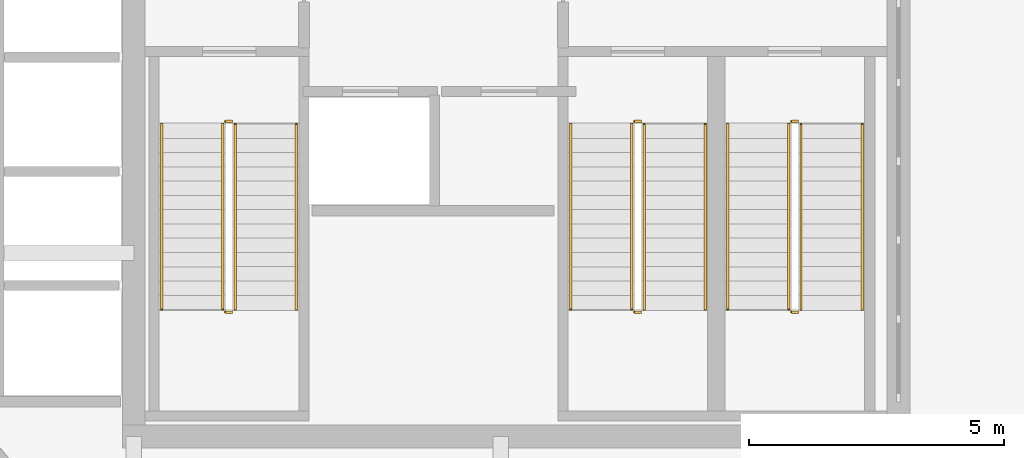
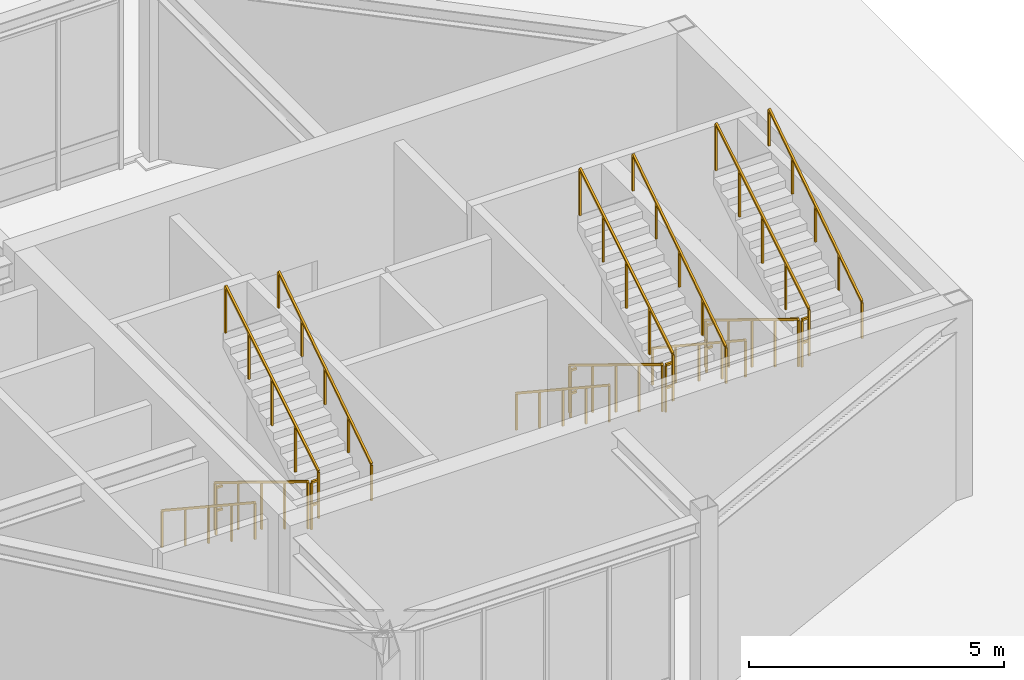
# One storey, part 5 of 5: 18 railings.
"""IFC4 building model written with IfcOpenShell, lengths in metres."""

from ifc_helpers import new_model, si_unit, derived_unit, direction, frame, origin, origin_2d, place, context, subcontext, project, spatial, rectangle, extrude, material, type_object, element, save


model = new_model("IFC4")

# Units and contexts
model_context = context("Model", 3, precision=1e-05, world=origin(), true_north=direction((0.0, 1.0)))
body_context = subcontext(model_context, "Body", "Model", "MODEL_VIEW")
ifc_project = project(units=[si_unit("LENGTHUNIT", "METRE"), si_unit("AREAUNIT", "SQUARE_METRE"), si_unit("VOLUMEUNIT", "CUBIC_METRE"), si_unit("PLANEANGLEUNIT", "RADIAN"), si_unit("MASSUNIT", "GRAM", prefix="KILO"), si_unit("THERMODYNAMICTEMPERATUREUNIT", "KELVIN"), si_unit("POWERUNIT", "WATT"), derived_unit("THERMALTRANSMITTANCEUNIT", [(si_unit("POWERUNIT", "WATT"), 1), (si_unit("AREAUNIT", "SQUARE_METRE"), -1), (si_unit("THERMODYNAMICTEMPERATUREUNIT", "KELVIN"), -1)])], contexts=[model_context])

# Site, building, storey
site_placement = place(None, origin())
site = spatial("IfcSite", under=ifc_project, at=site_placement, CompositionType="ELEMENT")
building_placement = place(site_placement, origin())
building = spatial("IfcBuilding", under=site, at=building_placement, Name="Zahravan Archway Hotel and Residences", CompositionType="ELEMENT")
storey_placement = place(building_placement, frame((0.0, 0.0, 299.10009765625)))
storey = spatial("IfcBuildingStorey", under=building, at=storey_placement, Name="L75", CompositionType="ELEMENT", Elevation=299.10009765625)

# Railings
ifc_material_1 = material(Name="Painted Tubular Steel", Category="steel")
railing_type_1 = type_object("IfcRailingType", Name="RL-STG-1150", PredefinedType="GUARDRAIL", material=ifc_material_1)
railing_1_placement = place(storey_placement, frame((36.550048828125, 9.72998046875, 0.17138671875)))
element("IfcRailing", 1, at=railing_1_placement, inside=storey, type_object=railing_type_1, Name="L75 ST-A1 stair guard 1", PredefinedType="GUARDRAIL", context=body_context, shape_type="SweptSolid", body=[
    extrude(rectangle(XDim=0.048095703125, YDim=0.048095703125, at=origin_2d()), frame((0.0, 0.0, 1.1259765625), z_axis=(0.0, -0.852850264322, 0.5221555579), x_axis=(1.0, 0.0, 0.0)), (0.0, 0.0, 1.0), 4.267822265625),
    extrude(rectangle(XDim=0.0419921875, YDim=0.0419921875, at=origin_2d()), origin(), (0.0, 0.0, 1.0), 1.101806640625),
    extrude(rectangle(XDim=0.0419921875, YDim=0.0419921875, at=origin_2d()), frame((0.0, -0.909912109375, 0.55712890625)), (0.0, 0.0, 1.0), 1.101806640625),
    extrude(rectangle(XDim=0.0419921875, YDim=0.0419921875, at=origin_2d()), frame((0.0, -1.81982421875, 1.1142578125)), (0.0, 0.0, 1.0), 1.101806640625),
    extrude(rectangle(XDim=0.0419921875, YDim=0.0419921875, at=origin_2d()), frame((0.0, -2.72998046875, 1.67138671875)), (0.0, 0.0, 1.0), 1.101806640625),
    extrude(rectangle(XDim=0.0419921875, YDim=0.0419921875, at=origin_2d()), frame((0.0, -3.639892578125, 2.228515625)), (0.0, 0.0, 1.0), 1.101806640625),
])
railing_2_placement = place(storey_placement, frame((36.60009765625, 6.0400390625, 2.39990234375)))
element("IfcRailing", 2, at=railing_2_placement, inside=storey, type_object=railing_type_1, Name="L75 ST-A1 stair guard 2", PredefinedType="GUARDRAIL", context=body_context, shape_type="SweptSolid", body=[
    extrude(rectangle(XDim=0.048095703125, YDim=0.048095703125, at=origin_2d()), frame((0.0, 0.0, 1.1259765625), z_axis=(1.0, 0.0, 0.0), x_axis=(0.0, 1.0, 0.0)), (0.0, 0.0, 1.0), 0.139892578125),
    extrude(rectangle(XDim=0.048095703125, YDim=0.048095703125, at=origin_2d()), frame((0.0, 0.0, 0.574951171875), z_axis=(1.0, 0.0, 0.0), x_axis=(0.0, 1.0, 0.0)), (0.0, 0.0, 1.0), 0.139892578125),
    extrude(rectangle(XDim=0.0419921875, YDim=0.0419921875, at=origin_2d()), origin(), (0.0, 0.0, 1.0), 1.101806640625),
])
railing_3_placement = place(storey_placement, frame((36.7900390625, 6.090087890625, 2.5712890625)))
element("IfcRailing", 3, at=railing_3_placement, inside=storey, type_object=railing_type_1, Name="L75 ST-A1 stair guard 3", PredefinedType="GUARDRAIL", context=body_context, shape_type="SweptSolid", body=[
    extrude(rectangle(XDim=0.048095703125, YDim=0.048095703125, at=origin_2d()), frame((0.0, 0.0, 1.1259765625), z_axis=(0.0, 0.852850264322, 0.5221555579), x_axis=(-1.0, 0.0, 0.0)), (0.0, 0.0, 1.0), 4.267822265625),
    extrude(rectangle(XDim=0.0419921875, YDim=0.0419921875, at=origin_2d()), origin(), (0.0, 0.0, 1.0), 1.101806640625),
    extrude(rectangle(XDim=0.0419921875, YDim=0.0419921875, at=origin_2d()), frame((0.0, 0.909912109375, 0.55712890625)), (0.0, 0.0, 1.0), 1.101806640625),
    extrude(rectangle(XDim=0.0419921875, YDim=0.0419921875, at=origin_2d()), frame((0.0, 1.81982421875, 1.1142578125)), (0.0, 0.0, 1.0), 1.101806640625),
    extrude(rectangle(XDim=0.0419921875, YDim=0.0419921875, at=origin_2d()), frame((0.0, 2.72998046875, 1.67138671875)), (0.0, 0.0, 1.0), 1.101806640625),
    extrude(rectangle(XDim=0.0419921875, YDim=0.0419921875, at=origin_2d()), frame((0.0, 3.639892578125, 2.228515625)), (0.0, 0.0, 1.0), 1.101806640625),
])
railing_4_placement = place(storey_placement, frame((36.60009765625, 9.780029296875, 0.0)))
element("IfcRailing", 4, at=railing_4_placement, inside=storey, type_object=railing_type_1, Name="L75 ST-A1 stair guard 4", PredefinedType="GUARDRAIL", context=body_context, shape_type="SweptSolid", body=[
    extrude(rectangle(XDim=0.048095703125, YDim=0.048095703125, at=origin_2d()), frame((0.0, 0.0, 1.1259765625), z_axis=(1.0, 0.0, 0.0), x_axis=(0.0, 1.0, 0.0)), (0.0, 0.0, 1.0), 0.139892578125),
    extrude(rectangle(XDim=0.048095703125, YDim=0.048095703125, at=origin_2d()), frame((0.0, 0.0, 0.574951171875), z_axis=(1.0, 0.0, 0.0), x_axis=(0.0, 1.0, 0.0)), (0.0, 0.0, 1.0), 0.139892578125),
    extrude(rectangle(XDim=0.0419921875, YDim=0.0419921875, at=origin_2d()), origin(), (0.0, 0.0, 1.0), 1.101806640625),
])
railing_5_placement = place(storey_placement, frame((44.570068359375, 9.72998046875, 0.17138671875)))
element("IfcRailing", 5, at=railing_5_placement, inside=storey, type_object=railing_type_1, Name="L75 ST-A2 stair guard 1", PredefinedType="GUARDRAIL", context=body_context, shape_type="SweptSolid", body=[
    extrude(rectangle(XDim=0.048095703125, YDim=0.048095703125, at=origin_2d()), frame((0.0, 0.0, 1.1259765625), z_axis=(0.0, -0.852850264322, 0.5221555579), x_axis=(1.0, 0.0, 0.0)), (0.0, 0.0, 1.0), 4.267822265625),
    extrude(rectangle(XDim=0.0419921875, YDim=0.0419921875, at=origin_2d()), origin(), (0.0, 0.0, 1.0), 1.101806640625),
    extrude(rectangle(XDim=0.0419921875, YDim=0.0419921875, at=origin_2d()), frame((0.0, -0.909912109375, 0.55712890625)), (0.0, 0.0, 1.0), 1.101806640625),
    extrude(rectangle(XDim=0.0419921875, YDim=0.0419921875, at=origin_2d()), frame((0.0, -1.81982421875, 1.1142578125)), (0.0, 0.0, 1.0), 1.101806640625),
    extrude(rectangle(XDim=0.0419921875, YDim=0.0419921875, at=origin_2d()), frame((0.0, -2.72998046875, 1.67138671875)), (0.0, 0.0, 1.0), 1.101806640625),
    extrude(rectangle(XDim=0.0419921875, YDim=0.0419921875, at=origin_2d()), frame((0.0, -3.639892578125, 2.228515625)), (0.0, 0.0, 1.0), 1.101806640625),
])
railing_6_placement = place(storey_placement, frame((44.6201171875, 6.0400390625, 2.39990234375)))
element("IfcRailing", 6, at=railing_6_placement, inside=storey, type_object=railing_type_1, Name="L75 ST-A2 stair guard 2", PredefinedType="GUARDRAIL", context=body_context, shape_type="SweptSolid", body=[
    extrude(rectangle(XDim=0.048095703125, YDim=0.048095703125, at=origin_2d()), frame((0.0, 0.0, 1.1259765625), z_axis=(1.0, 0.0, 0.0), x_axis=(0.0, 1.0, 0.0)), (0.0, 0.0, 1.0), 0.139892578125),
    extrude(rectangle(XDim=0.048095703125, YDim=0.048095703125, at=origin_2d()), frame((0.0, 0.0, 0.574951171875), z_axis=(1.0, 0.0, 0.0), x_axis=(0.0, 1.0, 0.0)), (0.0, 0.0, 1.0), 0.139892578125),
    extrude(rectangle(XDim=0.0419921875, YDim=0.0419921875, at=origin_2d()), origin(), (0.0, 0.0, 1.0), 1.101806640625),
])
railing_7_placement = place(storey_placement, frame((44.81005859375, 6.090087890625, 2.5712890625)))
element("IfcRailing", 7, at=railing_7_placement, inside=storey, type_object=railing_type_1, Name="L75 ST-A2 stair guard 3", PredefinedType="GUARDRAIL", context=body_context, shape_type="SweptSolid", body=[
    extrude(rectangle(XDim=0.048095703125, YDim=0.048095703125, at=origin_2d()), frame((0.0, 0.0, 1.1259765625), z_axis=(0.0, 0.852850264322, 0.5221555579), x_axis=(-1.0, 0.0, 0.0)), (0.0, 0.0, 1.0), 4.267822265625),
    extrude(rectangle(XDim=0.0419921875, YDim=0.0419921875, at=origin_2d()), origin(), (0.0, 0.0, 1.0), 1.101806640625),
    extrude(rectangle(XDim=0.0419921875, YDim=0.0419921875, at=origin_2d()), frame((0.0, 0.909912109375, 0.55712890625)), (0.0, 0.0, 1.0), 1.101806640625),
    extrude(rectangle(XDim=0.0419921875, YDim=0.0419921875, at=origin_2d()), frame((0.0, 1.81982421875, 1.1142578125)), (0.0, 0.0, 1.0), 1.101806640625),
    extrude(rectangle(XDim=0.0419921875, YDim=0.0419921875, at=origin_2d()), frame((0.0, 2.72998046875, 1.67138671875)), (0.0, 0.0, 1.0), 1.101806640625),
    extrude(rectangle(XDim=0.0419921875, YDim=0.0419921875, at=origin_2d()), frame((0.0, 3.639892578125, 2.228515625)), (0.0, 0.0, 1.0), 1.101806640625),
])
railing_8_placement = place(storey_placement, frame((44.6201171875, 9.780029296875, 0.0)))
element("IfcRailing", 8, at=railing_8_placement, inside=storey, type_object=railing_type_1, Name="L75 ST-A2 stair guard 4", PredefinedType="GUARDRAIL", context=body_context, shape_type="SweptSolid", body=[
    extrude(rectangle(XDim=0.048095703125, YDim=0.048095703125, at=origin_2d()), frame((0.0, 0.0, 1.1259765625), z_axis=(1.0, 0.0, 0.0), x_axis=(0.0, 1.0, 0.0)), (0.0, 0.0, 1.0), 0.139892578125),
    extrude(rectangle(XDim=0.048095703125, YDim=0.048095703125, at=origin_2d()), frame((0.0, 0.0, 0.574951171875), z_axis=(1.0, 0.0, 0.0), x_axis=(0.0, 1.0, 0.0)), (0.0, 0.0, 1.0), 0.139892578125),
    extrude(rectangle(XDim=0.0419921875, YDim=0.0419921875, at=origin_2d()), origin(), (0.0, 0.0, 1.0), 1.101806640625),
])
railing_9_placement = place(storey_placement, frame((47.64990234375, 9.72998046875, 0.17138671875)))
element("IfcRailing", 9, at=railing_9_placement, inside=storey, type_object=railing_type_1, Name="L75 ST-A3 stair guard 1", PredefinedType="GUARDRAIL", context=body_context, shape_type="SweptSolid", body=[
    extrude(rectangle(XDim=0.048095703125, YDim=0.048095703125, at=origin_2d()), frame((0.0, 0.0, 1.1259765625), z_axis=(0.0, -0.852850264322, 0.5221555579), x_axis=(1.0, 0.0, 0.0)), (0.0, 0.0, 1.0), 4.267822265625),
    extrude(rectangle(XDim=0.0419921875, YDim=0.0419921875, at=origin_2d()), origin(), (0.0, 0.0, 1.0), 1.101806640625),
    extrude(rectangle(XDim=0.0419921875, YDim=0.0419921875, at=origin_2d()), frame((0.0, -0.909912109375, 0.55712890625)), (0.0, 0.0, 1.0), 1.101806640625),
    extrude(rectangle(XDim=0.0419921875, YDim=0.0419921875, at=origin_2d()), frame((0.0, -1.81982421875, 1.1142578125)), (0.0, 0.0, 1.0), 1.101806640625),
    extrude(rectangle(XDim=0.0419921875, YDim=0.0419921875, at=origin_2d()), frame((0.0, -2.72998046875, 1.67138671875)), (0.0, 0.0, 1.0), 1.101806640625),
    extrude(rectangle(XDim=0.0419921875, YDim=0.0419921875, at=origin_2d()), frame((0.0, -3.639892578125, 2.228515625)), (0.0, 0.0, 1.0), 1.101806640625),
])
railing_10_placement = place(storey_placement, frame((47.699951171875, 6.0400390625, 2.39990234375)))
element("IfcRailing", 10, at=railing_10_placement, inside=storey, type_object=railing_type_1, Name="L75 ST-A3 stair guard 2", PredefinedType="GUARDRAIL", context=body_context, shape_type="SweptSolid", body=[
    extrude(rectangle(XDim=0.048095703125, YDim=0.048095703125, at=origin_2d()), frame((0.0, 0.0, 1.1259765625), z_axis=(1.0, 0.0, 0.0), x_axis=(0.0, 1.0, 0.0)), (0.0, 0.0, 1.0), 0.14013671875),
    extrude(rectangle(XDim=0.048095703125, YDim=0.048095703125, at=origin_2d()), frame((0.0, 0.0, 0.574951171875), z_axis=(1.0, 0.0, 0.0), x_axis=(0.0, 1.0, 0.0)), (0.0, 0.0, 1.0), 0.14013671875),
    extrude(rectangle(XDim=0.0419921875, YDim=0.0419921875, at=origin_2d()), origin(), (0.0, 0.0, 1.0), 1.101806640625),
])
railing_11_placement = place(storey_placement, frame((47.889892578125, 6.090087890625, 2.5712890625)))
element("IfcRailing", 11, at=railing_11_placement, inside=storey, type_object=railing_type_1, Name="L75 ST-A3 stair guard 3", PredefinedType="GUARDRAIL", context=body_context, shape_type="SweptSolid", body=[
    extrude(rectangle(XDim=0.048095703125, YDim=0.048095703125, at=origin_2d()), frame((0.0, 0.0, 1.1259765625), z_axis=(0.0, 0.852850264322, 0.5221555579), x_axis=(-1.0, 0.0, 0.0)), (0.0, 0.0, 1.0), 4.267822265625),
    extrude(rectangle(XDim=0.0419921875, YDim=0.0419921875, at=origin_2d()), origin(), (0.0, 0.0, 1.0), 1.101806640625),
    extrude(rectangle(XDim=0.0419921875, YDim=0.0419921875, at=origin_2d()), frame((0.0, 0.909912109375, 0.55712890625)), (0.0, 0.0, 1.0), 1.101806640625),
    extrude(rectangle(XDim=0.0419921875, YDim=0.0419921875, at=origin_2d()), frame((0.0, 1.81982421875, 1.1142578125)), (0.0, 0.0, 1.0), 1.101806640625),
    extrude(rectangle(XDim=0.0419921875, YDim=0.0419921875, at=origin_2d()), frame((0.0, 2.72998046875, 1.67138671875)), (0.0, 0.0, 1.0), 1.101806640625),
    extrude(rectangle(XDim=0.0419921875, YDim=0.0419921875, at=origin_2d()), frame((0.0, 3.639892578125, 2.228515625)), (0.0, 0.0, 1.0), 1.101806640625),
])
railing_12_placement = place(storey_placement, frame((47.699951171875, 9.780029296875, 0.0)))
element("IfcRailing", 12, at=railing_12_placement, inside=storey, type_object=railing_type_1, Name="L75 ST-A3 stair guard 4", PredefinedType="GUARDRAIL", context=body_context, shape_type="SweptSolid", body=[
    extrude(rectangle(XDim=0.048095703125, YDim=0.048095703125, at=origin_2d()), frame((0.0, 0.0, 1.1259765625), z_axis=(1.0, 0.0, 0.0), x_axis=(0.0, 1.0, 0.0)), (0.0, 0.0, 1.0), 0.14013671875),
    extrude(rectangle(XDim=0.048095703125, YDim=0.048095703125, at=origin_2d()), frame((0.0, 0.0, 0.574951171875), z_axis=(1.0, 0.0, 0.0), x_axis=(0.0, 1.0, 0.0)), (0.0, 0.0, 1.0), 0.14013671875),
    extrude(rectangle(XDim=0.0419921875, YDim=0.0419921875, at=origin_2d()), origin(), (0.0, 0.0, 1.0), 1.101806640625),
])
ifc_material_2 = material(Name="Brushed Stainless Steel", Category="steel")
railing_type_2 = type_object("IfcRailingType", Name="RL-STH-900", PredefinedType="HANDRAIL", material=ifc_material_2)
railing_13_placement = place(storey_placement, frame((35.35009765625, 9.72998046875, 0.17138671875)))
element("IfcRailing", 13, at=railing_13_placement, inside=storey, type_object=railing_type_2, Name="L75 ST-A1 stair handrail 1", PredefinedType="HANDRAIL", context=body_context, shape_type="SweptSolid", body=[
    extrude(rectangle(XDim=0.048095703125, YDim=0.048095703125, at=origin_2d()), frame((0.0, 0.0, 0.8759765625), z_axis=(0.0, -0.834865213223, 0.550454426587), x_axis=(1.0, 0.0, 0.0)), (0.0, 0.0, 1.0), 4.35986328125),
    extrude(rectangle(XDim=0.0419921875, YDim=0.0419921875, at=origin_2d()), origin(), (0.0, 0.0, 1.0), 0.851806640625),
    extrude(rectangle(XDim=0.0419921875, YDim=0.0419921875, at=origin_2d()), frame((0.0, -0.909912109375, 0.60009765625)), (0.0, 0.0, 1.0), 0.851806640625),
    extrude(rectangle(XDim=0.0419921875, YDim=0.0419921875, at=origin_2d()), frame((0.0, -1.81982421875, 1.199951171875)), (0.0, 0.0, 1.0), 0.851806640625),
    extrude(rectangle(XDim=0.0419921875, YDim=0.0419921875, at=origin_2d()), frame((0.0, -2.72998046875, 1.7998046875)), (0.0, 0.0, 1.0), 0.851806640625),
    extrude(rectangle(XDim=0.0419921875, YDim=0.0419921875, at=origin_2d()), frame((0.0, -3.639892578125, 2.39990234375)), (0.0, 0.0, 1.0), 0.851806640625),
])
railing_14_placement = place(storey_placement, frame((37.989990234375, 6.090087890625, 2.5712890625)))
element("IfcRailing", 14, at=railing_14_placement, inside=storey, type_object=railing_type_2, Name="L75 ST-A1 stair handrail 2", PredefinedType="HANDRAIL", context=body_context, shape_type="SweptSolid", body=[
    extrude(rectangle(XDim=0.048095703125, YDim=0.048095703125, at=origin_2d()), frame((0.0, 0.0, 0.8759765625), z_axis=(0.0, 0.834839479206, 0.550493454965), x_axis=(-1.0, 0.0, 0.0)), (0.0, 0.0, 1.0), 4.360107421875),
    extrude(rectangle(XDim=0.0419921875, YDim=0.0419921875, at=origin_2d()), origin(), (0.0, 0.0, 1.0), 0.851806640625),
    extrude(rectangle(XDim=0.0419921875, YDim=0.0419921875, at=origin_2d()), frame((0.0, 0.909912109375, 0.60009765625)), (0.0, 0.0, 1.0), 0.851806640625),
    extrude(rectangle(XDim=0.0419921875, YDim=0.0419921875, at=origin_2d()), frame((0.0, 1.81982421875, 1.2001953125)), (0.0, 0.0, 1.0), 0.851806640625),
    extrude(rectangle(XDim=0.0419921875, YDim=0.0419921875, at=origin_2d()), frame((0.0, 2.72998046875, 1.800048828125)), (0.0, 0.0, 1.0), 0.851806640625),
    extrude(rectangle(XDim=0.0419921875, YDim=0.0419921875, at=origin_2d()), frame((0.0, 3.639892578125, 2.400146484375)), (0.0, 0.0, 1.0), 0.851806640625),
])
railing_15_placement = place(storey_placement, frame((43.3701171875, 9.72998046875, 0.17138671875)))
element("IfcRailing", 15, at=railing_15_placement, inside=storey, type_object=railing_type_2, Name="L75 ST-A2 stair handrail 1", PredefinedType="HANDRAIL", context=body_context, shape_type="SweptSolid", body=[
    extrude(rectangle(XDim=0.048095703125, YDim=0.048095703125, at=origin_2d()), frame((0.0, 0.0, 0.8759765625), z_axis=(0.0, -0.834865213223, 0.550454426587), x_axis=(1.0, 0.0, 0.0)), (0.0, 0.0, 1.0), 4.35986328125),
    extrude(rectangle(XDim=0.0419921875, YDim=0.0419921875, at=origin_2d()), origin(), (0.0, 0.0, 1.0), 0.851806640625),
    extrude(rectangle(XDim=0.0419921875, YDim=0.0419921875, at=origin_2d()), frame((0.0, -0.909912109375, 0.60009765625)), (0.0, 0.0, 1.0), 0.851806640625),
    extrude(rectangle(XDim=0.0419921875, YDim=0.0419921875, at=origin_2d()), frame((0.0, -1.81982421875, 1.199951171875)), (0.0, 0.0, 1.0), 0.851806640625),
    extrude(rectangle(XDim=0.0419921875, YDim=0.0419921875, at=origin_2d()), frame((0.0, -2.72998046875, 1.7998046875)), (0.0, 0.0, 1.0), 0.851806640625),
    extrude(rectangle(XDim=0.0419921875, YDim=0.0419921875, at=origin_2d()), frame((0.0, -3.639892578125, 2.39990234375)), (0.0, 0.0, 1.0), 0.851806640625),
])
railing_16_placement = place(storey_placement, frame((46.010009765625, 6.090087890625, 2.5712890625)))
element("IfcRailing", 16, at=railing_16_placement, inside=storey, type_object=railing_type_2, Name="L75 ST-A2 stair handrail 2", PredefinedType="HANDRAIL", context=body_context, shape_type="SweptSolid", body=[
    extrude(rectangle(XDim=0.048095703125, YDim=0.048095703125, at=origin_2d()), frame((0.0, 0.0, 0.8759765625), z_axis=(0.0, 0.834839479206, 0.550493454965), x_axis=(-1.0, 0.0, 0.0)), (0.0, 0.0, 1.0), 4.360107421875),
    extrude(rectangle(XDim=0.0419921875, YDim=0.0419921875, at=origin_2d()), origin(), (0.0, 0.0, 1.0), 0.851806640625),
    extrude(rectangle(XDim=0.0419921875, YDim=0.0419921875, at=origin_2d()), frame((0.0, 0.909912109375, 0.60009765625)), (0.0, 0.0, 1.0), 0.851806640625),
    extrude(rectangle(XDim=0.0419921875, YDim=0.0419921875, at=origin_2d()), frame((0.0, 1.81982421875, 1.2001953125)), (0.0, 0.0, 1.0), 0.851806640625),
    extrude(rectangle(XDim=0.0419921875, YDim=0.0419921875, at=origin_2d()), frame((0.0, 2.72998046875, 1.800048828125)), (0.0, 0.0, 1.0), 0.851806640625),
    extrude(rectangle(XDim=0.0419921875, YDim=0.0419921875, at=origin_2d()), frame((0.0, 3.639892578125, 2.400146484375)), (0.0, 0.0, 1.0), 0.851806640625),
])
railing_17_placement = place(storey_placement, frame((46.449951171875, 9.72998046875, 0.17138671875)))
element("IfcRailing", 17, at=railing_17_placement, inside=storey, type_object=railing_type_2, Name="L75 ST-A3 stair handrail 1", PredefinedType="HANDRAIL", context=body_context, shape_type="SweptSolid", body=[
    extrude(rectangle(XDim=0.048095703125, YDim=0.048095703125, at=origin_2d()), frame((0.0, 0.0, 0.8759765625), z_axis=(0.0, -0.834865213223, 0.550454426587), x_axis=(1.0, 0.0, 0.0)), (0.0, 0.0, 1.0), 4.35986328125),
    extrude(rectangle(XDim=0.0419921875, YDim=0.0419921875, at=origin_2d()), origin(), (0.0, 0.0, 1.0), 0.851806640625),
    extrude(rectangle(XDim=0.0419921875, YDim=0.0419921875, at=origin_2d()), frame((0.0, -0.909912109375, 0.60009765625)), (0.0, 0.0, 1.0), 0.851806640625),
    extrude(rectangle(XDim=0.0419921875, YDim=0.0419921875, at=origin_2d()), frame((0.0, -1.81982421875, 1.199951171875)), (0.0, 0.0, 1.0), 0.851806640625),
    extrude(rectangle(XDim=0.0419921875, YDim=0.0419921875, at=origin_2d()), frame((0.0, -2.72998046875, 1.7998046875)), (0.0, 0.0, 1.0), 0.851806640625),
    extrude(rectangle(XDim=0.0419921875, YDim=0.0419921875, at=origin_2d()), frame((0.0, -3.639892578125, 2.39990234375)), (0.0, 0.0, 1.0), 0.851806640625),
])
railing_18_placement = place(storey_placement, frame((49.090087890625, 6.090087890625, 2.5712890625)))
element("IfcRailing", 18, at=railing_18_placement, inside=storey, type_object=railing_type_2, Name="L75 ST-A3 stair handrail 2", PredefinedType="HANDRAIL", context=body_context, shape_type="SweptSolid", body=[
    extrude(rectangle(XDim=0.048095703125, YDim=0.048095703125, at=origin_2d()), frame((0.0, 0.0, 0.8759765625), z_axis=(0.0, 0.834839479206, 0.550493454965), x_axis=(-1.0, 0.0, 0.0)), (0.0, 0.0, 1.0), 4.360107421875),
    extrude(rectangle(XDim=0.0419921875, YDim=0.0419921875, at=origin_2d()), origin(), (0.0, 0.0, 1.0), 0.851806640625),
    extrude(rectangle(XDim=0.0419921875, YDim=0.0419921875, at=origin_2d()), frame((0.0, 0.909912109375, 0.60009765625)), (0.0, 0.0, 1.0), 0.851806640625),
    extrude(rectangle(XDim=0.0419921875, YDim=0.0419921875, at=origin_2d()), frame((0.0, 1.81982421875, 1.2001953125)), (0.0, 0.0, 1.0), 0.851806640625),
    extrude(rectangle(XDim=0.0419921875, YDim=0.0419921875, at=origin_2d()), frame((0.0, 2.72998046875, 1.800048828125)), (0.0, 0.0, 1.0), 0.851806640625),
    extrude(rectangle(XDim=0.0419921875, YDim=0.0419921875, at=origin_2d()), frame((0.0, 3.639892578125, 2.400146484375)), (0.0, 0.0, 1.0), 0.851806640625),
])

save(model, "model.ifc")
